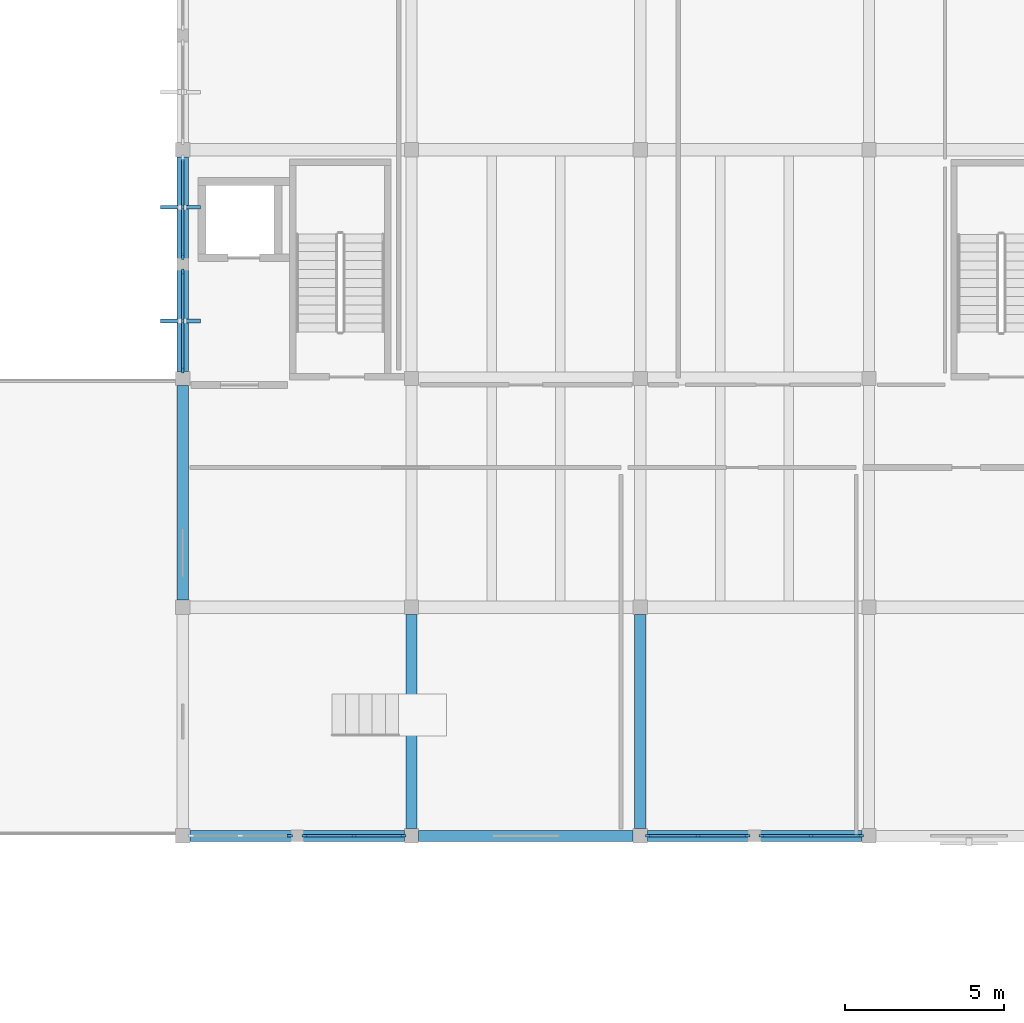
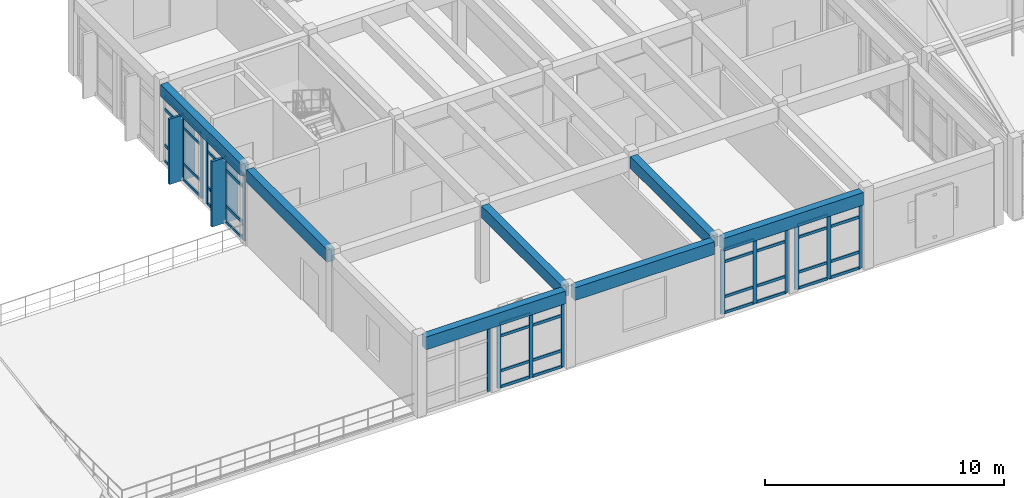
# One storey, part 14 of 136: 57 members, 7 beams, 6 elements without a shape of their own.
"""IFC4 building model written with IfcOpenShell, lengths in metres."""

from ifc_helpers import new_model, si_unit, direction, frame, origin, origin_2d, place, context, subcontext, project, spatial, rectangle, extrude, material, layer, layer_set, material_profile, profile_set, type_object, element, aggregate, save


model = new_model("IFC4")

# Units and contexts
model_context = context("Model", 3, precision=1e-05, world=origin(), true_north=direction((0.0, 1.0)))
body_context = subcontext(model_context, "Body", "Model", "MODEL_VIEW")
ifc_project = project(units=[si_unit("LENGTHUNIT", "METRE"), si_unit("AREAUNIT", "SQUARE_METRE"), si_unit("VOLUMEUNIT", "CUBIC_METRE"), si_unit("PLANEANGLEUNIT", "RADIAN"), si_unit("MASSUNIT", "GRAM", prefix="KILO")], contexts=[model_context])

# Site, building, storey
site_placement = place(None, origin())
site = spatial("IfcSite", under=ifc_project, at=site_placement, CompositionType="ELEMENT")
building_placement = place(site_placement, origin())
building = spatial("IfcBuilding", under=site, at=building_placement, Name="Koriwan Promenade Central Fire Station", CompositionType="ELEMENT")
storey_placement = place(building_placement, frame((0.0, 0.0, 5.39990234375)))
storey = spatial("IfcBuildingStorey", under=building, at=storey_placement, Name="L01", CompositionType="ELEMENT", Elevation=5.39990234375)

# Beams
ifc_material_1 = material(Name="Concrete C35/45", Category="concrete")
ifc_material_profile_1 = material_profile(ifc_material_1, rectangle(XDim=0.35009765625, YDim=0.60009765625, at=origin_2d()), Name="RC-BM-350x600")
ifc_profile_set_1 = profile_set([ifc_material_profile_1], Name="Concrete C35/45")
beam_type_1 = type_object("IfcBeamType", Name="Beam_RC-BM-350x600", PredefinedType="BEAM", material=ifc_profile_set_1)
for number, where, z_axis, x_axis, name in (
    (1, (28.800048828125, 57.824951171875, 3.650146484375), (0.0, 1.0, 0.0), (-1.0, 0.0, 0.0), "V4 L01 girder Y-434"),
    (2, (36.0, 43.425048828125, 3.650146484375), (0.0, 1.0, 0.0), (-1.0, 0.0, 0.0), "V4 L01 girder Y-436"),
    (3, (43.199951171875, 43.425048828125, 3.650146484375), (0.0, 1.0, 0.0), (-1.0, 0.0, 0.0), "V4 L01 girder Y-440"),
):
    element("IfcBeam", number, at=place(storey_placement, frame(where, z_axis=z_axis, x_axis=x_axis)), inside=storey, type_object=beam_type_1, Name=name, PredefinedType="BEAM", context=body_context, shape_type="SweptSolid", body=[
        extrude(rectangle(XDim=0.35009765625, YDim=0.60009765625, at=origin_2d()), origin(), (0.0, 0.0, 1.0), 6.75),
    ])
ifc_material_profile_2 = material_profile(ifc_material_1, rectangle(XDim=0.35009765625, YDim=0.64990234375, at=origin_2d()), Name="RC-BM-350x650")
ifc_profile_set_2 = profile_set([ifc_material_profile_2], Name="Concrete C35/45")
beam_type_2 = type_object("IfcBeamType", Name="Beam_RC-BM-350x650", PredefinedType="BEAM", material=ifc_profile_set_2)
beam_placement = place(storey_placement, frame((28.800048828125, 50.625, 3.625), z_axis=(0.0, 1.0, 0.0), x_axis=(-1.0, 0.0, 0.0)))
element("IfcBeam", 4, at=beam_placement, inside=storey, type_object=beam_type_2, Name="V4 L01 girder Y-433", PredefinedType="BEAM", context=body_context, shape_type="SweptSolid", body=[
    extrude(rectangle(XDim=0.35009765625, YDim=0.64990234375, at=origin_2d()), origin(), (0.0, 0.0, 1.0), 6.75),
])
ifc_material_profile_3 = material_profile(ifc_material_1, rectangle(XDim=0.35009765625, YDim=0.64990234375, at=origin_2d()), Name="RC-SP-350x650")
ifc_profile_set_3 = profile_set([ifc_material_profile_3], Name="Concrete C35/45")
beam_type_3 = type_object("IfcBeamType", Name="Beam_RC-SP-350x650", PredefinedType="SPANDREL", material=ifc_profile_set_3)
for number, where, z_axis, x_axis, name in (
    (5, (29.02490234375, 43.199951171875, 3.625), (1.0, 0.0, 0.0), (0.0, 1.0, 0.0), "V4 L01 girder X-414"),
    (6, (36.22509765625, 43.199951171875, 3.625), (1.0, 0.0, 0.0), (0.0, 1.0, 0.0), "V4 L01 girder X-415"),
    (7, (43.425048828125, 43.199951171875, 3.625), (1.0, 0.0, 0.0), (0.0, 1.0, 0.0), "V4 L01 girder X-416"),
):
    element("IfcBeam", number, at=place(storey_placement, frame(where, z_axis=z_axis, x_axis=x_axis)), inside=storey, type_object=beam_type_3, Name=name, PredefinedType="SPANDREL", context=body_context, shape_type="SweptSolid", body=[
        extrude(rectangle(XDim=0.35009765625, YDim=0.64990234375, at=origin_2d()), origin(), (0.0, 0.0, 1.0), 6.75),
    ])

# Curtain wall, members
ifc_material_2 = material(Name="Aluminium EN AW-6063-T6 and low-E glazing", Category="aluminium")
ifc_layer_1 = layer(ifc_material_2, 0.159912109375, Name="Aluminium EN AW-6063-T6 and low-E glazing")
ifc_layer_set_1 = layer_set([ifc_layer_1], Name="Aluminium EN AW-6063-T6 and low-E glazing")
curtain_wall_type_1 = type_object("IfcCurtainWallType", Name="CurtainWall_44_318x334", PredefinedType="USERDEFINED", material=ifc_layer_set_1)
curtain_wall_1_placement = place(storey_placement, origin())
curtain_wall_1 = element("IfcCurtainWall", 8, at=curtain_wall_1_placement, inside=storey, type_object=curtain_wall_type_1, Name="V4 L01 unitised curtain wall 123", ObjectType="UNITISED CURTAIN WALL", PredefinedType="USERDEFINED")
ifc_material_3 = material(Name="Aluminium EN AW-6063-T6", Category="aluminium")
ifc_material_profile_4 = material_profile(ifc_material_3, rectangle(XDim=0.074951171875, YDim=0.179931640625, at=origin_2d()), Name="ALU-MUL-75x180")
ifc_profile_set_4 = profile_set([ifc_material_profile_4], Name="Aluminium EN AW-6063-T6")
member_type_1 = type_object("IfcMemberType", Name="CWMullion_ALU-MUL-75x180", PredefinedType="MULLION", material=ifc_profile_set_4)
member_1_placement = place(storey_placement, frame((28.800048828125, 62.987548828125, 0.0), z_axis=(0.0, 0.0, 1.0), x_axis=(1.0, 0.0, 0.0)))
member_1 = element("IfcMember", 9, at=member_1_placement, type_object=member_type_1, Name="CW-44 mullion 2", PredefinedType="MULLION", context=body_context, shape_type="SweptSolid", body=[
    extrude(rectangle(XDim=0.074951171875, YDim=0.179931640625, at=origin_2d()), origin(), (0.0, 0.0, 1.0), 3.340087890625),
])
member_2_placement = place(storey_placement, frame((28.800048828125, 61.4375, 0.0), z_axis=(0.0, 0.0, 1.0), x_axis=(1.0, 0.0, 0.0)))
member_2 = element("IfcMember", 10, at=member_2_placement, type_object=member_type_1, Name="CW-44 mullion 3", PredefinedType="MULLION", context=body_context, shape_type="SweptSolid", body=[
    extrude(rectangle(XDim=0.074951171875, YDim=0.179931640625, at=origin_2d()), origin(), (0.0, 0.0, 1.0), 3.340087890625),
])

ifc_layer_2 = layer(ifc_material_2, 0.159912109375, Name="Aluminium EN AW-6063-T6 and low-E glazing")
ifc_layer_set_2 = layer_set([ifc_layer_2], Name="Aluminium EN AW-6063-T6 and low-E glazing")
curtain_wall_type_2 = type_object("IfcCurtainWallType", Name="CurtainWall_45_317x334", PredefinedType="USERDEFINED", material=ifc_layer_set_2)
curtain_wall_2_placement = place(storey_placement, origin())
curtain_wall_2 = element("IfcCurtainWall", 11, at=curtain_wall_2_placement, inside=storey, type_object=curtain_wall_type_2, Name="V4 L01 unitised curtain wall 124", ObjectType="UNITISED CURTAIN WALL", PredefinedType="USERDEFINED")
member_3_placement = place(storey_placement, frame((28.800048828125, 60.96240234375, 0.0), z_axis=(0.0, 0.0, 1.0), x_axis=(1.0, 0.0, 0.0)))
member_3 = element("IfcMember", 12, at=member_3_placement, type_object=member_type_1, Name="CW-45 mullion 1", PredefinedType="MULLION", context=body_context, shape_type="SweptSolid", body=[
    extrude(rectangle(XDim=0.074951171875, YDim=0.179931640625, at=origin_2d()), origin(), (0.0, 0.0, 1.0), 3.340087890625),
])
member_4_placement = place(storey_placement, frame((28.800048828125, 59.41259765625, 0.0), z_axis=(0.0, 0.0, 1.0), x_axis=(1.0, 0.0, 0.0)))
member_4 = element("IfcMember", 13, at=member_4_placement, type_object=member_type_1, Name="CW-45 mullion 2", PredefinedType="MULLION", context=body_context, shape_type="SweptSolid", body=[
    extrude(rectangle(XDim=0.074951171875, YDim=0.179931640625, at=origin_2d()), origin(), (0.0, 0.0, 1.0), 3.340087890625),
])
member_5_placement = place(storey_placement, frame((28.800048828125, 57.862548828125, 0.0), z_axis=(0.0, 0.0, 1.0), x_axis=(1.0, 0.0, 0.0)))
member_5 = element("IfcMember", 14, at=member_5_placement, type_object=member_type_1, Name="CW-45 mullion 3", PredefinedType="MULLION", context=body_context, shape_type="SweptSolid", body=[
    extrude(rectangle(XDim=0.074951171875, YDim=0.179931640625, at=origin_2d()), origin(), (0.0, 0.0, 1.0), 3.340087890625),
])

# Curtain wall, member
ifc_layer_3 = layer(ifc_material_2, 0.159912109375, Name="Aluminium EN AW-6063-T6 and low-E glazing")
ifc_layer_set_3 = layer_set([ifc_layer_3], Name="Aluminium EN AW-6063-T6 and low-E glazing")
curtain_wall_type_3 = type_object("IfcCurtainWallType", Name="CurtainWall_28_318x329", PredefinedType="USERDEFINED", material=ifc_layer_set_3)
curtain_wall_3_placement = place(storey_placement, origin())
curtain_wall_3 = element("IfcCurtainWall", 15, at=curtain_wall_3_placement, inside=storey, type_object=curtain_wall_type_3, Name="V4 L01 unitised curtain wall 125", ObjectType="UNITISED CURTAIN WALL", PredefinedType="USERDEFINED")
member_6_placement = place(storey_placement, frame((32.16259765625, 43.199951171875, 0.0), z_axis=(0.0, 0.0, 1.0), x_axis=(0.0, 1.0, 0.0)))
member_6 = element("IfcMember", 16, at=member_6_placement, type_object=member_type_1, Name="CW-28 mullion 3", PredefinedType="MULLION", context=body_context, shape_type="SweptSolid", body=[
    extrude(rectangle(XDim=0.074951171875, YDim=0.179931640625, at=origin_2d()), origin(), (0.0, 0.0, 1.0), 3.2900390625),
])
aggregate(curtain_wall_3, [member_6])

# Curtain wall, members
ifc_layer_4 = layer(ifc_material_2, 0.159912109375, Name="Aluminium EN AW-6063-T6 and low-E glazing")
ifc_layer_set_4 = layer_set([ifc_layer_4], Name="Aluminium EN AW-6063-T6 and low-E glazing")
curtain_wall_type_4 = type_object("IfcCurtainWallType", Name="CurtainWall_46_317x329", PredefinedType="USERDEFINED", material=ifc_layer_set_4)
curtain_wall_4_placement = place(storey_placement, origin())
curtain_wall_4 = element("IfcCurtainWall", 17, at=curtain_wall_4_placement, inside=storey, type_object=curtain_wall_type_4, Name="V4 L01 unitised curtain wall 126", ObjectType="UNITISED CURTAIN WALL", PredefinedType="USERDEFINED")
member_7_placement = place(storey_placement, frame((32.637451171875, 43.199951171875, 0.0), z_axis=(0.0, 0.0, 1.0), x_axis=(0.0, 1.0, 0.0)))
member_7 = element("IfcMember", 18, at=member_7_placement, type_object=member_type_1, Name="CW-46 mullion 1", PredefinedType="MULLION", context=body_context, shape_type="SweptSolid", body=[
    extrude(rectangle(XDim=0.074951171875, YDim=0.179931640625, at=origin_2d()), origin(), (0.0, 0.0, 1.0), 3.2900390625),
])
member_8_placement = place(storey_placement, frame((34.1875, 43.199951171875, 0.0), z_axis=(0.0, 0.0, 1.0), x_axis=(0.0, 1.0, 0.0)))
member_8 = element("IfcMember", 19, at=member_8_placement, type_object=member_type_1, Name="CW-46 mullion 2", PredefinedType="MULLION", context=body_context, shape_type="SweptSolid", body=[
    extrude(rectangle(XDim=0.074951171875, YDim=0.179931640625, at=origin_2d()), origin(), (0.0, 0.0, 1.0), 3.2900390625),
])
member_9_placement = place(storey_placement, frame((35.737548828125, 43.199951171875, 0.0), z_axis=(0.0, 0.0, 1.0), x_axis=(0.0, 1.0, 0.0)))
member_9 = element("IfcMember", 20, at=member_9_placement, type_object=member_type_1, Name="CW-46 mullion 3", PredefinedType="MULLION", context=body_context, shape_type="SweptSolid", body=[
    extrude(rectangle(XDim=0.074951171875, YDim=0.179931640625, at=origin_2d()), origin(), (0.0, 0.0, 1.0), 3.2900390625),
])

curtain_wall_5_placement = place(storey_placement, origin())
curtain_wall_5 = element("IfcCurtainWall", 21, at=curtain_wall_5_placement, inside=storey, type_object=curtain_wall_type_3, Name="V4 L01 unitised curtain wall 127", ObjectType="UNITISED CURTAIN WALL", PredefinedType="USERDEFINED")
member_10_placement = place(storey_placement, frame((43.46240234375, 43.199951171875, 0.0), z_axis=(0.0, 0.0, 1.0), x_axis=(0.0, 1.0, 0.0)))
member_10 = element("IfcMember", 22, at=member_10_placement, type_object=member_type_1, Name="CW-28 mullion 1", PredefinedType="MULLION", context=body_context, shape_type="SweptSolid", body=[
    extrude(rectangle(XDim=0.074951171875, YDim=0.179931640625, at=origin_2d()), origin(), (0.0, 0.0, 1.0), 3.2900390625),
])
member_11_placement = place(storey_placement, frame((45.012451171875, 43.199951171875, 0.0), z_axis=(0.0, 0.0, 1.0), x_axis=(0.0, 1.0, 0.0)))
member_11 = element("IfcMember", 23, at=member_11_placement, type_object=member_type_1, Name="CW-28 mullion 2", PredefinedType="MULLION", context=body_context, shape_type="SweptSolid", body=[
    extrude(rectangle(XDim=0.074951171875, YDim=0.179931640625, at=origin_2d()), origin(), (0.0, 0.0, 1.0), 3.2900390625),
])
member_12_placement = place(storey_placement, frame((46.5625, 43.199951171875, 0.0), z_axis=(0.0, 0.0, 1.0), x_axis=(0.0, 1.0, 0.0)))
member_12 = element("IfcMember", 24, at=member_12_placement, type_object=member_type_1, Name="CW-28 mullion 3", PredefinedType="MULLION", context=body_context, shape_type="SweptSolid", body=[
    extrude(rectangle(XDim=0.074951171875, YDim=0.179931640625, at=origin_2d()), origin(), (0.0, 0.0, 1.0), 3.2900390625),
])

curtain_wall_6_placement = place(storey_placement, origin())
curtain_wall_6 = element("IfcCurtainWall", 25, at=curtain_wall_6_placement, inside=storey, type_object=curtain_wall_type_4, Name="V4 L01 unitised curtain wall 128", ObjectType="UNITISED CURTAIN WALL", PredefinedType="USERDEFINED")
member_13_placement = place(storey_placement, frame((47.03759765625, 43.199951171875, 0.0), z_axis=(0.0, 0.0, 1.0), x_axis=(0.0, 1.0, 0.0)))
member_13 = element("IfcMember", 26, at=member_13_placement, type_object=member_type_1, Name="CW-46 mullion 1", PredefinedType="MULLION", context=body_context, shape_type="SweptSolid", body=[
    extrude(rectangle(XDim=0.074951171875, YDim=0.179931640625, at=origin_2d()), origin(), (0.0, 0.0, 1.0), 3.2900390625),
])
member_14_placement = place(storey_placement, frame((48.58740234375, 43.199951171875, 0.0), z_axis=(0.0, 0.0, 1.0), x_axis=(0.0, 1.0, 0.0)))
member_14 = element("IfcMember", 27, at=member_14_placement, type_object=member_type_1, Name="CW-46 mullion 2", PredefinedType="MULLION", context=body_context, shape_type="SweptSolid", body=[
    extrude(rectangle(XDim=0.074951171875, YDim=0.179931640625, at=origin_2d()), origin(), (0.0, 0.0, 1.0), 3.2900390625),
])
member_15_placement = place(storey_placement, frame((50.137451171875, 43.199951171875, 0.0), z_axis=(0.0, 0.0, 1.0), x_axis=(0.0, 1.0, 0.0)))
member_15 = element("IfcMember", 28, at=member_15_placement, type_object=member_type_1, Name="CW-46 mullion 3", PredefinedType="MULLION", context=body_context, shape_type="SweptSolid", body=[
    extrude(rectangle(XDim=0.074951171875, YDim=0.179931640625, at=origin_2d()), origin(), (0.0, 0.0, 1.0), 3.2900390625),
])

# Member
ifc_material_profile_5 = material_profile(ifc_material_3, rectangle(XDim=0.074951171875, YDim=0.139892578125, at=origin_2d()), Name="ALU-TRN-75x140")
ifc_profile_set_5 = profile_set([ifc_material_profile_5], Name="Aluminium EN AW-6063-T6")
member_type_2 = type_object("IfcMemberType", Name="CWTransom_ALU-TRN-75x140", PredefinedType="USERDEFINED", material=ifc_profile_set_5)
member_16_placement = place(storey_placement, frame((28.800048828125, 64.5, 0.03759765625), z_axis=(0.0, -1.0, 0.0), x_axis=(1.0, 0.0, 0.0)))
member_16 = element("IfcMember", 29, at=member_16_placement, type_object=member_type_2, Name="CW-44 transom 1.1", ObjectType="TRANSOM", PredefinedType="USERDEFINED", context=body_context, shape_type="SweptSolid", body=[
    extrude(rectangle(XDim=0.074951171875, YDim=0.139892578125, at=origin_2d()), origin(), (0.0, 0.0, 1.0), 1.47509765625),
])

member_17_placement = place(storey_placement, frame((28.800048828125, 64.5, 0.85009765625), z_axis=(0.0, -1.0, 0.0), x_axis=(1.0, 0.0, 0.0)))
member_17 = element("IfcMember", 30, at=member_17_placement, type_object=member_type_2, Name="CW-44 transom 1.2", ObjectType="TRANSOM", PredefinedType="USERDEFINED", context=body_context, shape_type="SweptSolid", body=[
    extrude(rectangle(XDim=0.074951171875, YDim=0.139892578125, at=origin_2d()), origin(), (0.0, 0.0, 1.0), 1.47509765625),
])

member_18_placement = place(storey_placement, frame((28.800048828125, 64.5, 2.690185546875), z_axis=(0.0, -1.0, 0.0), x_axis=(1.0, 0.0, 0.0)))
member_18 = element("IfcMember", 31, at=member_18_placement, type_object=member_type_2, Name="CW-44 transom 1.3", ObjectType="TRANSOM", PredefinedType="USERDEFINED", context=body_context, shape_type="SweptSolid", body=[
    extrude(rectangle(XDim=0.074951171875, YDim=0.139892578125, at=origin_2d()), origin(), (0.0, 0.0, 1.0), 1.47509765625),
])

member_19_placement = place(storey_placement, frame((28.800048828125, 64.5, 3.302490234375), z_axis=(0.0, -1.0, 0.0), x_axis=(1.0, 0.0, 0.0)))
member_19 = element("IfcMember", 32, at=member_19_placement, type_object=member_type_2, Name="CW-44 transom 1.4", ObjectType="TRANSOM", PredefinedType="USERDEFINED", context=body_context, shape_type="SweptSolid", body=[
    extrude(rectangle(XDim=0.074951171875, YDim=0.139892578125, at=origin_2d()), origin(), (0.0, 0.0, 1.0), 1.47509765625),
])

member_20_placement = place(storey_placement, frame((28.800048828125, 62.949951171875, 0.03759765625), z_axis=(0.0, -1.0, 0.0), x_axis=(1.0, 0.0, 0.0)))
member_20 = element("IfcMember", 33, at=member_20_placement, type_object=member_type_2, Name="CW-44 transom 2.1", ObjectType="TRANSOM", PredefinedType="USERDEFINED", context=body_context, shape_type="SweptSolid", body=[
    extrude(rectangle(XDim=0.074951171875, YDim=0.139892578125, at=origin_2d()), origin(), (0.0, 0.0, 1.0), 1.474853515625),
])

member_21_placement = place(storey_placement, frame((28.800048828125, 62.949951171875, 0.85009765625), z_axis=(0.0, -1.0, 0.0), x_axis=(1.0, 0.0, 0.0)))
member_21 = element("IfcMember", 34, at=member_21_placement, type_object=member_type_2, Name="CW-44 transom 2.2", ObjectType="TRANSOM", PredefinedType="USERDEFINED", context=body_context, shape_type="SweptSolid", body=[
    extrude(rectangle(XDim=0.074951171875, YDim=0.139892578125, at=origin_2d()), origin(), (0.0, 0.0, 1.0), 1.474853515625),
])

member_22_placement = place(storey_placement, frame((28.800048828125, 62.949951171875, 2.690185546875), z_axis=(0.0, -1.0, 0.0), x_axis=(1.0, 0.0, 0.0)))
member_22 = element("IfcMember", 35, at=member_22_placement, type_object=member_type_2, Name="CW-44 transom 2.3", ObjectType="TRANSOM", PredefinedType="USERDEFINED", context=body_context, shape_type="SweptSolid", body=[
    extrude(rectangle(XDim=0.074951171875, YDim=0.139892578125, at=origin_2d()), origin(), (0.0, 0.0, 1.0), 1.474853515625),
])

member_23_placement = place(storey_placement, frame((28.800048828125, 62.949951171875, 3.302490234375), z_axis=(0.0, -1.0, 0.0), x_axis=(1.0, 0.0, 0.0)))
member_23 = element("IfcMember", 36, at=member_23_placement, type_object=member_type_2, Name="CW-44 transom 2.4", ObjectType="TRANSOM", PredefinedType="USERDEFINED", context=body_context, shape_type="SweptSolid", body=[
    extrude(rectangle(XDim=0.074951171875, YDim=0.139892578125, at=origin_2d()), origin(), (0.0, 0.0, 1.0), 1.474853515625),
])

aggregate(curtain_wall_1, [member_1, member_2, member_16, member_17, member_18, member_19, member_20, member_21, member_22, member_23])

member_24_placement = place(storey_placement, frame((28.800048828125, 60.925048828125, 0.03759765625), z_axis=(0.0, -1.0, 0.0), x_axis=(1.0, 0.0, 0.0)))
member_24 = element("IfcMember", 37, at=member_24_placement, type_object=member_type_2, Name="CW-45 transom 1.1", ObjectType="TRANSOM", PredefinedType="USERDEFINED", context=body_context, shape_type="SweptSolid", body=[
    extrude(rectangle(XDim=0.074951171875, YDim=0.139892578125, at=origin_2d()), origin(), (0.0, 0.0, 1.0), 1.47509765625),
])

member_25_placement = place(storey_placement, frame((28.800048828125, 60.925048828125, 0.85009765625), z_axis=(0.0, -1.0, 0.0), x_axis=(1.0, 0.0, 0.0)))
member_25 = element("IfcMember", 38, at=member_25_placement, type_object=member_type_2, Name="CW-45 transom 1.2", ObjectType="TRANSOM", PredefinedType="USERDEFINED", context=body_context, shape_type="SweptSolid", body=[
    extrude(rectangle(XDim=0.074951171875, YDim=0.139892578125, at=origin_2d()), origin(), (0.0, 0.0, 1.0), 1.47509765625),
])

member_26_placement = place(storey_placement, frame((28.800048828125, 60.925048828125, 2.690185546875), z_axis=(0.0, -1.0, 0.0), x_axis=(1.0, 0.0, 0.0)))
member_26 = element("IfcMember", 39, at=member_26_placement, type_object=member_type_2, Name="CW-45 transom 1.3", ObjectType="TRANSOM", PredefinedType="USERDEFINED", context=body_context, shape_type="SweptSolid", body=[
    extrude(rectangle(XDim=0.074951171875, YDim=0.139892578125, at=origin_2d()), origin(), (0.0, 0.0, 1.0), 1.47509765625),
])

member_27_placement = place(storey_placement, frame((28.800048828125, 60.925048828125, 3.302490234375), z_axis=(0.0, -1.0, 0.0), x_axis=(1.0, 0.0, 0.0)))
member_27 = element("IfcMember", 40, at=member_27_placement, type_object=member_type_2, Name="CW-45 transom 1.4", ObjectType="TRANSOM", PredefinedType="USERDEFINED", context=body_context, shape_type="SweptSolid", body=[
    extrude(rectangle(XDim=0.074951171875, YDim=0.139892578125, at=origin_2d()), origin(), (0.0, 0.0, 1.0), 1.47509765625),
])

member_28_placement = place(storey_placement, frame((28.800048828125, 59.375, 0.03759765625), z_axis=(0.0, -1.0, 0.0), x_axis=(1.0, 0.0, 0.0)))
member_28 = element("IfcMember", 41, at=member_28_placement, type_object=member_type_2, Name="CW-45 transom 2.1", ObjectType="TRANSOM", PredefinedType="USERDEFINED", context=body_context, shape_type="SweptSolid", body=[
    extrude(rectangle(XDim=0.074951171875, YDim=0.139892578125, at=origin_2d()), origin(), (0.0, 0.0, 1.0), 1.47509765625),
])

member_29_placement = place(storey_placement, frame((28.800048828125, 59.375, 0.85009765625), z_axis=(0.0, -1.0, 0.0), x_axis=(1.0, 0.0, 0.0)))
member_29 = element("IfcMember", 42, at=member_29_placement, type_object=member_type_2, Name="CW-45 transom 2.2", ObjectType="TRANSOM", PredefinedType="USERDEFINED", context=body_context, shape_type="SweptSolid", body=[
    extrude(rectangle(XDim=0.074951171875, YDim=0.139892578125, at=origin_2d()), origin(), (0.0, 0.0, 1.0), 1.47509765625),
])

member_30_placement = place(storey_placement, frame((28.800048828125, 59.375, 2.690185546875), z_axis=(0.0, -1.0, 0.0), x_axis=(1.0, 0.0, 0.0)))
member_30 = element("IfcMember", 43, at=member_30_placement, type_object=member_type_2, Name="CW-45 transom 2.3", ObjectType="TRANSOM", PredefinedType="USERDEFINED", context=body_context, shape_type="SweptSolid", body=[
    extrude(rectangle(XDim=0.074951171875, YDim=0.139892578125, at=origin_2d()), origin(), (0.0, 0.0, 1.0), 1.47509765625),
])

member_31_placement = place(storey_placement, frame((28.800048828125, 59.375, 3.302490234375), z_axis=(0.0, -1.0, 0.0), x_axis=(1.0, 0.0, 0.0)))
member_31 = element("IfcMember", 44, at=member_31_placement, type_object=member_type_2, Name="CW-45 transom 2.4", ObjectType="TRANSOM", PredefinedType="USERDEFINED", context=body_context, shape_type="SweptSolid", body=[
    extrude(rectangle(XDim=0.074951171875, YDim=0.139892578125, at=origin_2d()), origin(), (0.0, 0.0, 1.0), 1.47509765625),
])

aggregate(curtain_wall_2, [member_3, member_4, member_5, member_24, member_25, member_26, member_27, member_28, member_29, member_30, member_31])

member_32_placement = place(storey_placement, frame((32.675048828125, 43.199951171875, 0.03759765625), z_axis=(1.0, 0.0, 0.0), x_axis=(0.0, 1.0, 0.0)))
member_32 = element("IfcMember", 45, at=member_32_placement, type_object=member_type_2, Name="CW-46 transom 1.1", ObjectType="TRANSOM", PredefinedType="USERDEFINED", context=body_context, shape_type="SweptSolid", body=[
    extrude(rectangle(XDim=0.074951171875, YDim=0.139892578125, at=origin_2d()), origin(), (0.0, 0.0, 1.0), 1.474853515625),
])

member_33_placement = place(storey_placement, frame((32.675048828125, 43.199951171875, 0.85009765625), z_axis=(1.0, 0.0, 0.0), x_axis=(0.0, 1.0, 0.0)))
member_33 = element("IfcMember", 46, at=member_33_placement, type_object=member_type_2, Name="CW-46 transom 1.2", ObjectType="TRANSOM", PredefinedType="USERDEFINED", context=body_context, shape_type="SweptSolid", body=[
    extrude(rectangle(XDim=0.074951171875, YDim=0.139892578125, at=origin_2d()), origin(), (0.0, 0.0, 1.0), 1.474853515625),
])

member_34_placement = place(storey_placement, frame((32.675048828125, 43.199951171875, 2.64013671875), z_axis=(1.0, 0.0, 0.0), x_axis=(0.0, 1.0, 0.0)))
member_34 = element("IfcMember", 47, at=member_34_placement, type_object=member_type_2, Name="CW-46 transom 1.3", ObjectType="TRANSOM", PredefinedType="USERDEFINED", context=body_context, shape_type="SweptSolid", body=[
    extrude(rectangle(XDim=0.074951171875, YDim=0.139892578125, at=origin_2d()), origin(), (0.0, 0.0, 1.0), 1.474853515625),
])

member_35_placement = place(storey_placement, frame((32.675048828125, 43.199951171875, 3.252685546875), z_axis=(1.0, 0.0, 0.0), x_axis=(0.0, 1.0, 0.0)))
member_35 = element("IfcMember", 48, at=member_35_placement, type_object=member_type_2, Name="CW-46 transom 1.4", ObjectType="TRANSOM", PredefinedType="USERDEFINED", context=body_context, shape_type="SweptSolid", body=[
    extrude(rectangle(XDim=0.074951171875, YDim=0.139892578125, at=origin_2d()), origin(), (0.0, 0.0, 1.0), 1.474853515625),
])

member_36_placement = place(storey_placement, frame((34.22509765625, 43.199951171875, 0.03759765625), z_axis=(1.0, 0.0, 0.0), x_axis=(0.0, 1.0, 0.0)))
member_36 = element("IfcMember", 49, at=member_36_placement, type_object=member_type_2, Name="CW-46 transom 2.1", ObjectType="TRANSOM", PredefinedType="USERDEFINED", context=body_context, shape_type="SweptSolid", body=[
    extrude(rectangle(XDim=0.074951171875, YDim=0.139892578125, at=origin_2d()), origin(), (0.0, 0.0, 1.0), 1.474853515625),
])

member_37_placement = place(storey_placement, frame((34.22509765625, 43.199951171875, 0.85009765625), z_axis=(1.0, 0.0, 0.0), x_axis=(0.0, 1.0, 0.0)))
member_37 = element("IfcMember", 50, at=member_37_placement, type_object=member_type_2, Name="CW-46 transom 2.2", ObjectType="TRANSOM", PredefinedType="USERDEFINED", context=body_context, shape_type="SweptSolid", body=[
    extrude(rectangle(XDim=0.074951171875, YDim=0.139892578125, at=origin_2d()), origin(), (0.0, 0.0, 1.0), 1.474853515625),
])

member_38_placement = place(storey_placement, frame((34.22509765625, 43.199951171875, 2.64013671875), z_axis=(1.0, 0.0, 0.0), x_axis=(0.0, 1.0, 0.0)))
member_38 = element("IfcMember", 51, at=member_38_placement, type_object=member_type_2, Name="CW-46 transom 2.3", ObjectType="TRANSOM", PredefinedType="USERDEFINED", context=body_context, shape_type="SweptSolid", body=[
    extrude(rectangle(XDim=0.074951171875, YDim=0.139892578125, at=origin_2d()), origin(), (0.0, 0.0, 1.0), 1.474853515625),
])

member_39_placement = place(storey_placement, frame((34.22509765625, 43.199951171875, 3.252685546875), z_axis=(1.0, 0.0, 0.0), x_axis=(0.0, 1.0, 0.0)))
member_39 = element("IfcMember", 52, at=member_39_placement, type_object=member_type_2, Name="CW-46 transom 2.4", ObjectType="TRANSOM", PredefinedType="USERDEFINED", context=body_context, shape_type="SweptSolid", body=[
    extrude(rectangle(XDim=0.074951171875, YDim=0.139892578125, at=origin_2d()), origin(), (0.0, 0.0, 1.0), 1.474853515625),
])

aggregate(curtain_wall_4, [member_7, member_8, member_9, member_32, member_33, member_34, member_35, member_36, member_37, member_38, member_39])

member_40_placement = place(storey_placement, frame((43.5, 43.199951171875, 0.03759765625), z_axis=(1.0, 0.0, 0.0), x_axis=(0.0, 1.0, 0.0)))
member_40 = element("IfcMember", 53, at=member_40_placement, type_object=member_type_2, Name="CW-28 transom 1.1", ObjectType="TRANSOM", PredefinedType="USERDEFINED", context=body_context, shape_type="SweptSolid", body=[
    extrude(rectangle(XDim=0.074951171875, YDim=0.139892578125, at=origin_2d()), origin(), (0.0, 0.0, 1.0), 1.47509765625),
])

member_41_placement = place(storey_placement, frame((43.5, 43.199951171875, 0.85009765625), z_axis=(1.0, 0.0, 0.0), x_axis=(0.0, 1.0, 0.0)))
member_41 = element("IfcMember", 54, at=member_41_placement, type_object=member_type_2, Name="CW-28 transom 1.2", ObjectType="TRANSOM", PredefinedType="USERDEFINED", context=body_context, shape_type="SweptSolid", body=[
    extrude(rectangle(XDim=0.074951171875, YDim=0.139892578125, at=origin_2d()), origin(), (0.0, 0.0, 1.0), 1.47509765625),
])

member_42_placement = place(storey_placement, frame((43.5, 43.199951171875, 2.64013671875), z_axis=(1.0, 0.0, 0.0), x_axis=(0.0, 1.0, 0.0)))
member_42 = element("IfcMember", 55, at=member_42_placement, type_object=member_type_2, Name="CW-28 transom 1.3", ObjectType="TRANSOM", PredefinedType="USERDEFINED", context=body_context, shape_type="SweptSolid", body=[
    extrude(rectangle(XDim=0.074951171875, YDim=0.139892578125, at=origin_2d()), origin(), (0.0, 0.0, 1.0), 1.47509765625),
])

member_43_placement = place(storey_placement, frame((43.5, 43.199951171875, 3.252685546875), z_axis=(1.0, 0.0, 0.0), x_axis=(0.0, 1.0, 0.0)))
member_43 = element("IfcMember", 56, at=member_43_placement, type_object=member_type_2, Name="CW-28 transom 1.4", ObjectType="TRANSOM", PredefinedType="USERDEFINED", context=body_context, shape_type="SweptSolid", body=[
    extrude(rectangle(XDim=0.074951171875, YDim=0.139892578125, at=origin_2d()), origin(), (0.0, 0.0, 1.0), 1.47509765625),
])

member_44_placement = place(storey_placement, frame((45.050048828125, 43.199951171875, 0.03759765625), z_axis=(1.0, 0.0, 0.0), x_axis=(0.0, 1.0, 0.0)))
member_44 = element("IfcMember", 57, at=member_44_placement, type_object=member_type_2, Name="CW-28 transom 2.1", ObjectType="TRANSOM", PredefinedType="USERDEFINED", context=body_context, shape_type="SweptSolid", body=[
    extrude(rectangle(XDim=0.074951171875, YDim=0.139892578125, at=origin_2d()), origin(), (0.0, 0.0, 1.0), 1.474853515625),
])

member_45_placement = place(storey_placement, frame((45.050048828125, 43.199951171875, 0.85009765625), z_axis=(1.0, 0.0, 0.0), x_axis=(0.0, 1.0, 0.0)))
member_45 = element("IfcMember", 58, at=member_45_placement, type_object=member_type_2, Name="CW-28 transom 2.2", ObjectType="TRANSOM", PredefinedType="USERDEFINED", context=body_context, shape_type="SweptSolid", body=[
    extrude(rectangle(XDim=0.074951171875, YDim=0.139892578125, at=origin_2d()), origin(), (0.0, 0.0, 1.0), 1.474853515625),
])

member_46_placement = place(storey_placement, frame((45.050048828125, 43.199951171875, 2.64013671875), z_axis=(1.0, 0.0, 0.0), x_axis=(0.0, 1.0, 0.0)))
member_46 = element("IfcMember", 59, at=member_46_placement, type_object=member_type_2, Name="CW-28 transom 2.3", ObjectType="TRANSOM", PredefinedType="USERDEFINED", context=body_context, shape_type="SweptSolid", body=[
    extrude(rectangle(XDim=0.074951171875, YDim=0.139892578125, at=origin_2d()), origin(), (0.0, 0.0, 1.0), 1.474853515625),
])

member_47_placement = place(storey_placement, frame((45.050048828125, 43.199951171875, 3.252685546875), z_axis=(1.0, 0.0, 0.0), x_axis=(0.0, 1.0, 0.0)))
member_47 = element("IfcMember", 60, at=member_47_placement, type_object=member_type_2, Name="CW-28 transom 2.4", ObjectType="TRANSOM", PredefinedType="USERDEFINED", context=body_context, shape_type="SweptSolid", body=[
    extrude(rectangle(XDim=0.074951171875, YDim=0.139892578125, at=origin_2d()), origin(), (0.0, 0.0, 1.0), 1.474853515625),
])

aggregate(curtain_wall_5, [member_10, member_11, member_12, member_40, member_41, member_42, member_43, member_44, member_45, member_46, member_47])

member_48_placement = place(storey_placement, frame((47.074951171875, 43.199951171875, 0.03759765625), z_axis=(1.0, 0.0, 0.0), x_axis=(0.0, 1.0, 0.0)))
member_48 = element("IfcMember", 61, at=member_48_placement, type_object=member_type_2, Name="CW-46 transom 1.1", ObjectType="TRANSOM", PredefinedType="USERDEFINED", context=body_context, shape_type="SweptSolid", body=[
    extrude(rectangle(XDim=0.074951171875, YDim=0.139892578125, at=origin_2d()), origin(), (0.0, 0.0, 1.0), 1.47509765625),
])

member_49_placement = place(storey_placement, frame((47.074951171875, 43.199951171875, 0.85009765625), z_axis=(1.0, 0.0, 0.0), x_axis=(0.0, 1.0, 0.0)))
member_49 = element("IfcMember", 62, at=member_49_placement, type_object=member_type_2, Name="CW-46 transom 1.2", ObjectType="TRANSOM", PredefinedType="USERDEFINED", context=body_context, shape_type="SweptSolid", body=[
    extrude(rectangle(XDim=0.074951171875, YDim=0.139892578125, at=origin_2d()), origin(), (0.0, 0.0, 1.0), 1.47509765625),
])

member_50_placement = place(storey_placement, frame((47.074951171875, 43.199951171875, 2.64013671875), z_axis=(1.0, 0.0, 0.0), x_axis=(0.0, 1.0, 0.0)))
member_50 = element("IfcMember", 63, at=member_50_placement, type_object=member_type_2, Name="CW-46 transom 1.3", ObjectType="TRANSOM", PredefinedType="USERDEFINED", context=body_context, shape_type="SweptSolid", body=[
    extrude(rectangle(XDim=0.074951171875, YDim=0.139892578125, at=origin_2d()), origin(), (0.0, 0.0, 1.0), 1.47509765625),
])

member_51_placement = place(storey_placement, frame((47.074951171875, 43.199951171875, 3.252685546875), z_axis=(1.0, 0.0, 0.0), x_axis=(0.0, 1.0, 0.0)))
member_51 = element("IfcMember", 64, at=member_51_placement, type_object=member_type_2, Name="CW-46 transom 1.4", ObjectType="TRANSOM", PredefinedType="USERDEFINED", context=body_context, shape_type="SweptSolid", body=[
    extrude(rectangle(XDim=0.074951171875, YDim=0.139892578125, at=origin_2d()), origin(), (0.0, 0.0, 1.0), 1.47509765625),
])

member_52_placement = place(storey_placement, frame((48.625, 43.199951171875, 0.03759765625), z_axis=(1.0, 0.0, 0.0), x_axis=(0.0, 1.0, 0.0)))
member_52 = element("IfcMember", 65, at=member_52_placement, type_object=member_type_2, Name="CW-46 transom 2.1", ObjectType="TRANSOM", PredefinedType="USERDEFINED", context=body_context, shape_type="SweptSolid", body=[
    extrude(rectangle(XDim=0.074951171875, YDim=0.139892578125, at=origin_2d()), origin(), (0.0, 0.0, 1.0), 1.47509765625),
])

member_53_placement = place(storey_placement, frame((48.625, 43.199951171875, 0.85009765625), z_axis=(1.0, 0.0, 0.0), x_axis=(0.0, 1.0, 0.0)))
member_53 = element("IfcMember", 66, at=member_53_placement, type_object=member_type_2, Name="CW-46 transom 2.2", ObjectType="TRANSOM", PredefinedType="USERDEFINED", context=body_context, shape_type="SweptSolid", body=[
    extrude(rectangle(XDim=0.074951171875, YDim=0.139892578125, at=origin_2d()), origin(), (0.0, 0.0, 1.0), 1.47509765625),
])

member_54_placement = place(storey_placement, frame((48.625, 43.199951171875, 2.64013671875), z_axis=(1.0, 0.0, 0.0), x_axis=(0.0, 1.0, 0.0)))
member_54 = element("IfcMember", 67, at=member_54_placement, type_object=member_type_2, Name="CW-46 transom 2.3", ObjectType="TRANSOM", PredefinedType="USERDEFINED", context=body_context, shape_type="SweptSolid", body=[
    extrude(rectangle(XDim=0.074951171875, YDim=0.139892578125, at=origin_2d()), origin(), (0.0, 0.0, 1.0), 1.47509765625),
])

member_55_placement = place(storey_placement, frame((48.625, 43.199951171875, 3.252685546875), z_axis=(1.0, 0.0, 0.0), x_axis=(0.0, 1.0, 0.0)))
member_55 = element("IfcMember", 68, at=member_55_placement, type_object=member_type_2, Name="CW-46 transom 2.4", ObjectType="TRANSOM", PredefinedType="USERDEFINED", context=body_context, shape_type="SweptSolid", body=[
    extrude(rectangle(XDim=0.074951171875, YDim=0.139892578125, at=origin_2d()), origin(), (0.0, 0.0, 1.0), 1.47509765625),
])

aggregate(curtain_wall_6, [member_13, member_14, member_15, member_48, member_49, member_50, member_51, member_52, member_53, member_54, member_55])

# Members
ifc_material_4 = material(Name="Aluminium EN AW-6063-T6 terracotta finish", Category="masonry")
ifc_material_profile_6 = material_profile(ifc_material_4, rectangle(XDim=0.1201171875, YDim=1.25, at=origin_2d()), Name="FIN-TRC-120x1250")
ifc_profile_set_6 = profile_set([ifc_material_profile_6], Name="Aluminium EN AW-6063-T6 terracotta finish")
member_type_3 = type_object("IfcMemberType", Name="SolarFin_FIN-TRC-120x1250", PredefinedType="USERDEFINED", material=ifc_profile_set_6)
for number, where, z_axis, x_axis, name in (
    (69, (28.72509765625, 62.987548828125, 0.0), (0.0, 0.0, 1.0), (0.0, 1.0, 0.0), "V4 L01 terracotta solar fin 009"),
    (70, (28.72509765625, 59.41259765625, 0.0), (0.0, 0.0, 1.0), (0.0, 1.0, 0.0), "V4 L01 terracotta solar fin 010"),
):
    element("IfcMember", number, at=place(storey_placement, frame(where, z_axis=z_axis, x_axis=x_axis)), inside=storey, type_object=member_type_3, Name=name, ObjectType="SOLAR FIN", PredefinedType="USERDEFINED", context=body_context, shape_type="SweptSolid", body=[
        extrude(rectangle(XDim=0.1201171875, YDim=1.25, at=origin_2d()), origin(), (0.0, 0.0, 1.0), 3.340087890625),
    ])

save(model, "model.ifc")
